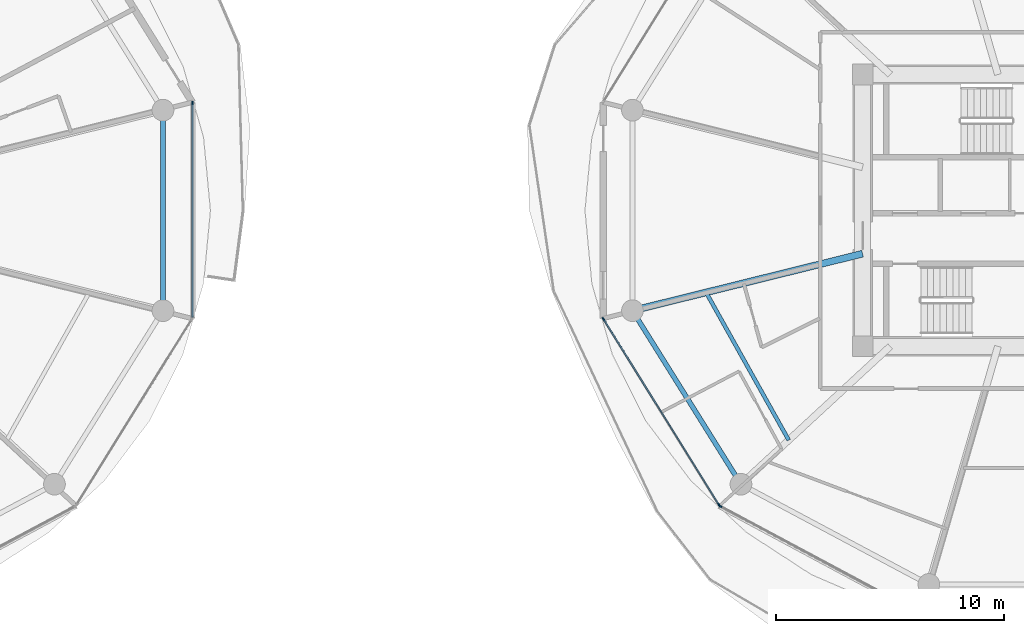
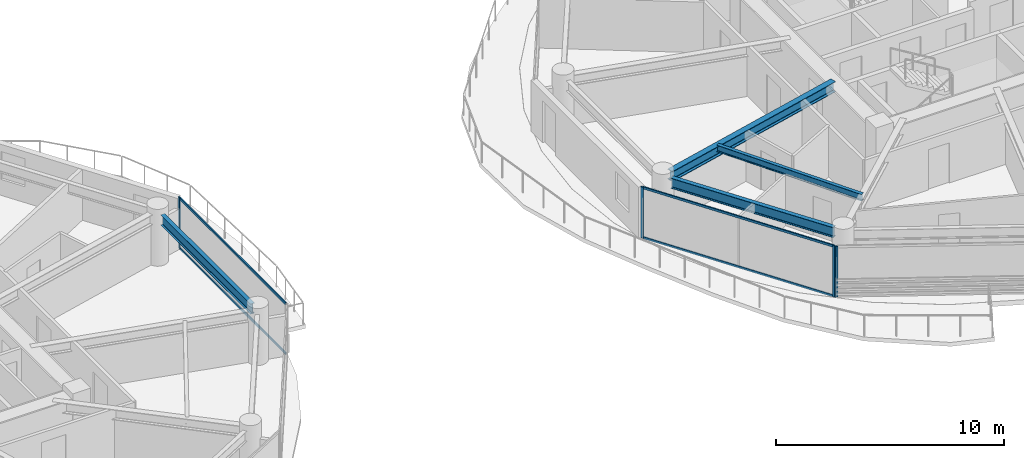
# One storey, part 6 of 26: 8 members, 4 beams, 3 elements without a shape of their own.
"""IFC4 building model written with IfcOpenShell, lengths in metres."""

import ifcopenshell
import ifcopenshell.guid

model = None  # the IFC model being written
_history = None  # IfcOwnerHistory: only IFC2X3 demands one
_inside = {}  # id of a spatial element -> (the spatial element, [elements in it])
_under = {}  # id of a project, library or spatial element -> (it, [spatial elements below it])
_declared = {}  # id of a project -> (the project, [libraries it declares])
_typed = {}  # id of a type object -> (the type object, [elements of that type])
_made_of = {}  # id of a material, layer set ... -> (it, [elements and type objects made of it])


def new_model(schema):
    """Start an empty IFC model of exactly this schema.

    Asked for "IFC4X3", IfcOpenShell would pick the latest addendum, in which some entities
    have other attributes; the version numbers below select the first issue.
    IFC2X3 requires an IfcOwnerHistory on every rooted entity: one is made here for all.
    """
    global model, _history
    if schema == "IFC4X3":
        model = ifcopenshell.file(schema_version=(4, 3, 0, 0))
    else:
        model = ifcopenshell.file(schema=schema)
    _inside.clear()
    _under.clear()
    _declared.clear()
    _typed.clear()
    _made_of.clear()
    _history = None
    if model.schema == "IFC2X3":
        org = make("IfcOrganization", Name="unknown")
        user = make(
            "IfcPersonAndOrganization",
            ThePerson=make("IfcPerson", FamilyName="unknown"),
            TheOrganization=org,
        )
        app = make(
            "IfcApplication",
            ApplicationDeveloper=org,
            Version="unknown",
            ApplicationFullName="unknown",
            ApplicationIdentifier="unknown",
        )
        _history = make(
            "IfcOwnerHistory",
            OwningUser=user,
            OwningApplication=app,
            ChangeAction="ADDED",
            CreationDate=0,
        )
    return model


def make(cls, **values):
    """One entity of the class cls with the attributes given. An attribute that is None is left unset."""
    return model.create_entity(
        cls, **{name: value for name, value in values.items() if value is not None}
    )


def rooted(cls, **values):
    """An entity with a GlobalId (a new one), such as an element, a storey or a relation."""
    return make(cls, GlobalId=ifcopenshell.guid.new(), OwnerHistory=_history, **values)


def si_unit(unit_type, name, prefix=None):
    """IfcSIUnit, for example si_unit("LENGTHUNIT", "METRE", prefix="MILLI")."""
    return make("IfcSIUnit", UnitType=unit_type, Prefix=prefix, Name=name)


def assignment(units):
    """IfcUnitAssignment: the units of a project."""
    return None if units is None else make("IfcUnitAssignment", Units=units)


def point(xyz):
    """IfcCartesianPoint."""
    return None if xyz is None else make("IfcCartesianPoint", Coordinates=xyz)


def direction(xyz):
    """IfcDirection."""
    return None if xyz is None else make("IfcDirection", DirectionRatios=xyz)


def frame(location, z_axis=None, x_axis=None):
    """IfcAxis2Placement3D, a coordinate frame: its origin and axes. An axis left out is left unset."""
    return make(
        "IfcAxis2Placement3D",
        Location=point(location),
        Axis=direction(z_axis),
        RefDirection=direction(x_axis),
    )


def frame_2d(location, x_axis=None):
    """IfcAxis2Placement2D, a coordinate frame in the plane: its origin and x axis."""
    return make(
        "IfcAxis2Placement2D", Location=point(location), RefDirection=direction(x_axis)
    )


def origin():
    """The frame at (0, 0, 0) with its axes left unset."""
    return frame((0.0, 0.0, 0.0))


def origin_2d():
    """The frame at (0, 0) in the plane with its x axis left unset."""
    return frame_2d((0.0, 0.0))


def place(relative_to, where):
    """IfcLocalPlacement: puts the frame where relative to a parent placement (None: the world)."""
    return make(
        "IfcLocalPlacement", PlacementRelTo=relative_to, RelativePlacement=where
    )


def context(
    kind, dimensions, precision=None, world=None, true_north=None, identifier=None
):
    """IfcGeometricRepresentationContext, for example the 3D "Model" context."""
    return make(
        "IfcGeometricRepresentationContext",
        ContextIdentifier=identifier,
        ContextType=kind,
        CoordinateSpaceDimension=dimensions,
        Precision=precision,
        WorldCoordinateSystem=world,
        TrueNorth=true_north,
    )


def subcontext(parent, identifier, kind, view, scale=None):
    """IfcGeometricRepresentationSubContext, for example "Body" below "Model"."""
    return make(
        "IfcGeometricRepresentationSubContext",
        ContextIdentifier=identifier,
        ContextType=kind,
        ParentContext=parent,
        TargetScale=scale,
        TargetView=view,
    )


def project(units=None, contexts=None):
    """IfcProject with its units and contexts."""
    return rooted(
        "IfcProject",
        Name="project",
        RepresentationContexts=contexts,
        UnitsInContext=assignment(units),
    )


def spatial(cls, under=None, at=None, **own):
    """A site, building, storey or space (cls), placed at a placement, below another one or the project."""
    s = rooted(cls, ObjectPlacement=at, **own)
    if under is not None:
        _under.setdefault(under.id(), (under, []))[1].append(s)
    return s


def profile(cls, at=None, kind="AREA", **sizes):
    """A parametric profile (cls). Its sizes go by their IFC names, for example OverallWidth=200.0."""
    return make(cls, ProfileType=kind, Position=at, **sizes)


def rectangle(**sizes):
    """IfcRectangleProfileDef."""
    return profile("IfcRectangleProfileDef", **sizes)


def i_section(**sizes):
    """IfcIShapeProfileDef."""
    return profile("IfcIShapeProfileDef", **sizes)


def extrude(swept, where, along, depth):
    """IfcExtrudedAreaSolid: the profile swept, set in the frame where, extruded along a direction by depth."""
    return make(
        "IfcExtrudedAreaSolid",
        SweptArea=swept,
        Position=where,
        ExtrudedDirection=direction(along),
        Depth=depth,
    )


def shape(context_of_items, identifier, shape_type, items):
    """IfcShapeRepresentation: the items that make up one representation, for example the "Body"."""
    return make(
        "IfcShapeRepresentation",
        ContextOfItems=context_of_items,
        RepresentationIdentifier=identifier,
        RepresentationType=shape_type,
        Items=items,
    )


def source(mapping_origin, context_of_items, identifier, shape_type, items):
    """IfcRepresentationMap: a shape defined once, which mapped items show again and again."""
    return make(
        "IfcRepresentationMap",
        MappingOrigin=mapping_origin,
        MappedRepresentation=shape(context_of_items, identifier, shape_type, items),
    )


def transform(
    local_origin,
    x_axis=None,
    y_axis=None,
    z_axis=None,
    scale=None,
    scale2=None,
    scale3=None,
    uniform=True,
):
    """IfcCartesianTransformationOperator3D, or its non-uniform kind. x_axis, y_axis, z_axis: its Axis1, 2, 3."""
    if uniform:
        return make(
            "IfcCartesianTransformationOperator3D",
            Axis1=direction(x_axis),
            Axis2=direction(y_axis),
            LocalOrigin=point(local_origin),
            Scale=scale,
            Axis3=direction(z_axis),
        )
    return make(
        "IfcCartesianTransformationOperator3DnonUniform",
        Axis1=direction(x_axis),
        Axis2=direction(y_axis),
        LocalOrigin=point(local_origin),
        Scale=scale,
        Axis3=direction(z_axis),
        Scale2=scale2,
        Scale3=scale3,
    )


def mapped(mapping_source, mapping_target):
    """IfcMappedItem: shows the shape of a source again, moved by a transform."""
    return make(
        "IfcMappedItem", MappingSource=mapping_source, MappingTarget=mapping_target
    )


def material(Name=None, Category=None):
    """IfcMaterial."""
    return make("IfcMaterial", Name=Name, Category=Category)


def layer(
    of_material, thickness, ventilated=None, Name=None, Category=None, Priority=None
):
    """IfcMaterialLayer: one layer of a wall or slab, of a material (None: an air gap)."""
    return make(
        "IfcMaterialLayer",
        Material=of_material,
        LayerThickness=thickness,
        IsVentilated=ventilated,
        Name=Name,
        Category=Category,
        Priority=Priority,
    )


def layer_set(layers, Name=None):
    """IfcMaterialLayerSet."""
    return make("IfcMaterialLayerSet", MaterialLayers=layers, LayerSetName=Name)


def material_profile(
    of_material, cross_section, Name=None, Category=None, Priority=None
):
    """IfcMaterialProfile: a cross section and its material."""
    return make(
        "IfcMaterialProfile",
        Name=Name,
        Material=of_material,
        Profile=cross_section,
        Priority=Priority,
        Category=Category,
    )


def profile_set(profiles, Name=None, composite=None):
    """IfcMaterialProfileSet."""
    return make(
        "IfcMaterialProfileSet",
        Name=Name,
        MaterialProfiles=profiles,
        CompositeProfile=composite,
    )


def made_of(thing, what):
    """Note that an element or type object is made of a material, layer set ...; save() writes the relation."""
    if what is not None:
        _made_of.setdefault(what.id(), (what, []))[1].append(thing)
    return thing


def type_object(cls, material=None, **own):
    """A type object (cls), such as IfcWallType, which elements share."""
    return made_of(rooted(cls, **own), material)


def type_shapes(of_type, sources):
    """Give a type object the sources (RepresentationMaps) that its elements show as mapped items."""
    of_type.RepresentationMaps = sources


def element(
    cls,
    number,
    at=None,
    inside=None,
    cuts=None,
    type_object=None,
    material=None,
    context=None,
    identifier="Body",
    shape_type=None,
    held_by="IfcProductDefinitionShape",
    body=None,
    shapes=None,
    **own,
):
    """One element of the class cls, such as IfcWall. Its Tag is "e" and its number.

    at: its placement. inside: the storey or other place that contains it. cuts: it is an
    opening in that element (IfcRelVoidsElement). A single representation is given by context,
    identifier, shape_type and body (its items); several are given by shapes. held_by: the class
    of the entity that holds the representations. save() writes the other relations.
    """
    e = rooted(cls, Tag="e%d" % number, ObjectPlacement=at, **own)
    if body is not None:
        shapes = [shape(context, identifier, shape_type, body)]
    if shapes is not None:
        e.Representation = make(held_by, Representations=shapes)
    if inside is not None:
        _inside.setdefault(inside.id(), (inside, []))[1].append(e)
    if cuts is not None:
        rooted(
            "IfcRelVoidsElement", RelatingBuildingElement=cuts, RelatedOpeningElement=e
        )
    if type_object is not None:
        _typed.setdefault(type_object.id(), (type_object, []))[1].append(e)
    return made_of(e, material)


def aggregate(whole, parts):
    """IfcRelAggregates: a whole, such as a stair, and the parts it consists of."""
    return rooted("IfcRelAggregates", RelatingObject=whole, RelatedObjects=parts)


def save(model, path):
    """Write the relations noted so far, then the file.

    IfcRelAggregates (storeys below a building ...), IfcRelContainedInSpatialStructure (elements
    in a storey), IfcRelDefinesByType, IfcRelAssociatesMaterial and IfcRelDeclares: one each for
    every whole, place, type object, material and project.
    """
    for whole, parts in _under.values():
        aggregate(whole, parts)
    for where, things in _inside.values():
        rooted(
            "IfcRelContainedInSpatialStructure",
            RelatedElements=things,
            RelatingStructure=where,
        )
    for kind, things in _typed.values():
        rooted("IfcRelDefinesByType", RelatedObjects=things, RelatingType=kind)
    for what, things in _made_of.values():
        rooted("IfcRelAssociatesMaterial", RelatedObjects=things, RelatingMaterial=what)
    for by, libraries in _declared.values():
        rooted("IfcRelDeclares", RelatingContext=by, RelatedDefinitions=libraries)
    model.write(path)


model = new_model("IFC4")

# Units and contexts
model_context = context("Model", 3, precision=1e-05, world=origin(), true_north=direction((0.0, 1.0)))
body_context = subcontext(model_context, "Body", "Model", "MODEL_VIEW")
ifc_project = project(units=[si_unit("LENGTHUNIT", "METRE"), si_unit("AREAUNIT", "SQUARE_METRE"), si_unit("VOLUMEUNIT", "CUBIC_METRE"), si_unit("PLANEANGLEUNIT", "RADIAN"), si_unit("MASSUNIT", "GRAM", prefix="KILO")], contexts=[model_context])

# Site, building, storey
site_placement = place(None, origin())
site = spatial("IfcSite", under=ifc_project, at=site_placement, CompositionType="ELEMENT")
building_placement = place(site_placement, origin())
building = spatial("IfcBuilding", under=site, at=building_placement, Name="Norrkilde Senior Care Towers", CompositionType="ELEMENT")
storey_placement = place(building_placement, frame((0.0, 0.0, 70.39990234375)))
storey = spatial("IfcBuildingStorey", under=building, at=storey_placement, Name="L21", CompositionType="ELEMENT", Elevation=70.39990234375)

# Beams
ifc_material_1 = material(Name="Steel S355", Category="steel")
ifc_material_profile_1 = material_profile(ifc_material_1, i_section(OverallWidth=0.2099609375, OverallDepth=0.550048828125, WebThickness=0.010986328125, FlangeThickness=0.01708984375, FilletRadius=0.02392578125, at=origin_2d()), Name="IPE 550")
ifc_profile_set_1 = profile_set([ifc_material_profile_1], Name="Steel S355")
beam_type_1 = type_object("IfcBeamType", Name="Perimeter Ring Spandrel Z1 IPE550", PredefinedType="SPANDREL", material=ifc_profile_set_1)
shared_shape_1 = source(origin(), body_context, "Body", "SweptSolid", [
    extrude(i_section(OverallWidth=0.2099609375, OverallDepth=0.550048828125, WebThickness=0.010986328125, FlangeThickness=0.01708984375, FilletRadius=0.02392578125, at=origin_2d()), origin(), (0.0, 0.0, 1.0), 8.090576171875),
])
beam_1_placement = place(storey_placement, frame((10.505859375, -4.755859375, 2.455078125), z_axis=(0.530004364821, -0.84799491347, 0.0), x_axis=(0.84799491347, 0.530004364821, 0.0)))
element("IfcBeam", 1, at=beam_1_placement, inside=storey, type_object=beam_type_1, Name="L21 Drum E Perimeter Spandrel 07", PredefinedType="SPANDREL", context=body_context, shape_type="MappedRepresentation", body=[
    mapped(shared_shape_1, transform((0.0, 0.0, 0.0), x_axis=(1.0, 0.0, 0.0), y_axis=(0.0, 1.0, 0.0), z_axis=(0.0, 0.0, 1.0), scale=1.0)),
])
ifc_material_profile_2 = material_profile(ifc_material_1, i_section(OverallWidth=0.300048828125, OverallDepth=0.550048828125, WebThickness=0.014892578125, FlangeThickness=0.029052734375, FilletRadius=0.027099609375, at=origin_2d()), Name="HEB 550")
ifc_profile_set_2 = profile_set([ifc_material_profile_2], Name="Steel S355")
beam_type_2 = type_object("IfcBeamType", Name="Radial Floor Beam Z1 HEB550", PredefinedType="BEAM", material=ifc_profile_set_2)
shared_shape_2 = source(origin(), body_context, "Body", "SweptSolid", [
    extrude(i_section(OverallWidth=0.300048828125, OverallDepth=0.550048828125, WebThickness=0.014892578125, FlangeThickness=0.029052734375, FilletRadius=0.027099609375, at=origin_2d()), origin(), (0.0, 0.0, 1.0), 9.94384765625),
])
type_shapes(beam_type_2, [shared_shape_2])
beam_2_placement = place(storey_placement, frame((20.35009765625, -1.893310546875, 2.455078125), z_axis=(-0.970707425182, -0.240264634718, 0.0), x_axis=(0.240264634718, -0.970707425182, 0.0)))
element("IfcBeam", 2, at=beam_2_placement, inside=storey, type_object=beam_type_2, Name="L21 Drum E Radial Floor Beam 07", PredefinedType="BEAM", context=body_context, shape_type="MappedRepresentation", body=[
    mapped(shared_shape_2, transform((0.0, 0.0, 0.0), x_axis=(1.0, 0.0, 0.0), y_axis=(0.0, 1.0, 0.0), z_axis=(0.0, 0.0, 1.0), scale=1.0)),
])
shared_shape_3 = source(origin(), body_context, "Body", "SweptSolid", [
    extrude(i_section(OverallWidth=0.2099609375, OverallDepth=0.550048828125, WebThickness=0.010986328125, FlangeThickness=0.01708984375, FilletRadius=0.02392578125, at=origin_2d()), origin(), (0.0, 0.0, 1.0), 7.90380859375),
])
type_shapes(beam_type_1, [shared_shape_1, shared_shape_3])
beam_3_placement = place(storey_placement, frame((-10.275146484375, -3.951904296875, 2.455078125), z_axis=(0.0, 1.0, 0.0), x_axis=(-1.0, 0.0, 0.0)))
element("IfcBeam", 3, at=beam_3_placement, inside=storey, type_object=beam_type_1, Name="L21 Drum W Perimeter Spandrel 12", PredefinedType="SPANDREL", context=body_context, shape_type="MappedRepresentation", body=[
    mapped(shared_shape_3, transform((0.0, 0.0, 0.0), x_axis=(1.0, 0.0, 0.0), y_axis=(0.0, 1.0, 0.0), z_axis=(0.0, 0.0, 1.0), scale=1.0)),
])
ifc_material_profile_3 = material_profile(ifc_material_1, i_section(OverallWidth=0.169921875, OverallDepth=0.360107421875, WebThickness=0.008056640625, FlangeThickness=0.0126953125, FilletRadius=0.01806640625, at=origin_2d()), Name="IPE 360")
ifc_profile_set_3 = profile_set([ifc_material_profile_3], Name="Steel S355")
beam_type_3 = type_object("IfcBeamType", Name="Secondary Floor Joist IPE360", PredefinedType="JOIST", material=ifc_profile_set_3)
shared_shape_4 = source(origin(), body_context, "Body", "SweptSolid", [
    extrude(i_section(OverallWidth=0.169921875, OverallDepth=0.360107421875, WebThickness=0.008056640625, FlangeThickness=0.0126953125, FilletRadius=0.01806640625, at=origin_2d()), origin(), (0.0, 0.0, 1.0), 7.40771484375),
])
type_shapes(beam_type_3, [shared_shape_4])
beam_4_placement = place(storey_placement, frame((13.499267578125, -3.589111328125, 2.550048828125), z_axis=(0.488167754092, -0.872749817453, 0.0), x_axis=(0.872749817453, 0.488167754092, 0.0)))
element("IfcBeam", 4, at=beam_4_placement, inside=storey, type_object=beam_type_3, Name="L21 Drum E Secondary Floor Joist 3", PredefinedType="JOIST", context=body_context, shape_type="MappedRepresentation", body=[
    mapped(shared_shape_4, transform((0.0, 0.0, 0.0), x_axis=(1.0, 0.0, 0.0), y_axis=(0.0, 1.0, 0.0), z_axis=(0.0, 0.0, 1.0), scale=1.0)),
])

# Curtain wall, members
ifc_material_2 = material(Name="Triple Low-E Insulated Glazing", Category="glass")
ifc_layer = layer(ifc_material_2, 0.199951171875)
ifc_layer_set = layer_set([ifc_layer], Name="Triple Low-E Insulated Glazing")
curtain_wall_type = type_object("IfcCurtainWallType", Name="CW2 Zone 1 Memory Care Curtain Wall", PredefinedType="NOTDEFINED", material=ifc_layer_set)
curtain_wall_1_placement = place(storey_placement, origin())
curtain_wall_1 = element("IfcCurtainWall", 5, at=curtain_wall_1_placement, inside=storey, type_object=curtain_wall_type, Name="L21 Drum E Curtain Wall 06", PredefinedType="NOTDEFINED")
ifc_material_3 = material(Name="Anodised Aluminium", Category="aluminium")
ifc_material_profile_4 = material_profile(ifc_material_3, rectangle(XDim=0.06005859375, YDim=0.1201171875, at=origin_2d()), Name="ALU TRAN 60x120")
ifc_profile_set_4 = profile_set([ifc_material_profile_4], Name="Anodised Aluminium")
member_type_1 = type_object("IfcMemberType", Name="Curtain Wall Transom Typical 60x120", PredefinedType="USERDEFINED", material=ifc_profile_set_4)
shared_shape_5 = source(origin(), body_context, "Body", "SweptSolid", [
    extrude(rectangle(XDim=0.06005859375, YDim=0.1201171875, at=origin_2d()), origin(), (0.0, 0.0, 1.0), 9.5185546875),
])
member_1_placement = place(storey_placement, frame((14.0498046875, -12.87060546875, 0.030029296875), z_axis=(-0.527901620669, 0.849305527413, 0.0), x_axis=(-0.849305527413, -0.527901620669, 0.0)))
member_1 = element("IfcMember", 6, at=member_1_placement, type_object=member_type_1, Name="CW-2 transom 1.1", ObjectType="TRANSOM", PredefinedType="USERDEFINED", context=body_context, shape_type="MappedRepresentation", body=[
    mapped(shared_shape_5, transform((0.0, 0.0, 0.0), x_axis=(1.0, 0.0, 0.0), y_axis=(0.0, 1.0, 0.0), z_axis=(0.0, 0.0, 1.0), scale=1.0)),
])
member_2_placement = place(storey_placement, frame((14.0498046875, -12.87060546875, 2.7001953125), z_axis=(-0.527901620669, 0.849305527413, 0.0), x_axis=(-0.849305527413, -0.527901620669, 0.0)))
member_2 = element("IfcMember", 7, at=member_2_placement, type_object=member_type_1, Name="CW-2 transom 1.2", ObjectType="TRANSOM", PredefinedType="USERDEFINED", context=body_context, shape_type="MappedRepresentation", body=[
    mapped(shared_shape_5, transform((0.0, 0.0, 0.0), x_axis=(1.0, 0.0, 0.0), y_axis=(0.0, 1.0, 0.0), z_axis=(0.0, 0.0, 1.0), scale=1.0)),
])

curtain_wall_2_placement = place(storey_placement, origin())
curtain_wall_2 = element("IfcCurtainWall", 8, at=curtain_wall_2_placement, inside=storey, type_object=curtain_wall_type, Name="L21 Drum W Curtain Wall 11", PredefinedType="NOTDEFINED")
shared_shape_6 = source(origin(), body_context, "Body", "SweptSolid", [
    extrude(rectangle(XDim=0.06005859375, YDim=0.1201171875, at=origin_2d()), origin(), (0.0, 0.0, 1.0), 9.33251953125),
])
type_shapes(member_type_1, [shared_shape_5, shared_shape_6])
member_3_placement = place(storey_placement, frame((-8.990478515625, 4.666259765625, 0.030029296875), z_axis=(0.0, -1.0, 0.0), x_axis=(1.0, 0.0, 0.0)))
member_3 = element("IfcMember", 9, at=member_3_placement, type_object=member_type_1, Name="CW-2 transom 1.1", ObjectType="TRANSOM", PredefinedType="USERDEFINED", context=body_context, shape_type="MappedRepresentation", body=[
    mapped(shared_shape_6, transform((0.0, 0.0, 0.0), x_axis=(1.0, 0.0, 0.0), y_axis=(0.0, 1.0, 0.0), z_axis=(0.0, 0.0, 1.0), scale=1.0)),
])
member_4_placement = place(storey_placement, frame((-8.990478515625, 4.666259765625, 2.7001953125), z_axis=(0.0, -1.0, 0.0), x_axis=(1.0, 0.0, 0.0)))
member_4 = element("IfcMember", 10, at=member_4_placement, type_object=member_type_1, Name="CW-2 transom 1.2", ObjectType="TRANSOM", PredefinedType="USERDEFINED", context=body_context, shape_type="MappedRepresentation", body=[
    mapped(shared_shape_6, transform((0.0, 0.0, 0.0), x_axis=(1.0, 0.0, 0.0), y_axis=(0.0, 1.0, 0.0), z_axis=(0.0, 0.0, 1.0), scale=1.0)),
])
ifc_material_profile_5 = material_profile(ifc_material_3, rectangle(XDim=0.06494140625, YDim=0.159912109375, at=origin_2d()), Name="ALU MULL 65x160")
ifc_profile_set_5 = profile_set([ifc_material_profile_5], Name="Anodised Aluminium")
member_type_2 = type_object("IfcMemberType", Name="Curtain Wall Mullion Z1-Z2 65x160", PredefinedType="MULLION", material=ifc_profile_set_5)
shared_shape_7 = source(origin(), body_context, "Body", "SweptSolid", [
    extrude(rectangle(XDim=0.06494140625, YDim=0.159912109375, at=origin_2d()), origin(), (0.0, 0.0, 1.0), 2.72998046875),
])
type_shapes(member_type_2, [shared_shape_7])
member_5_placement = place(storey_placement, frame((-8.990478515625, 4.69873046875, 0.0), z_axis=(0.0, 0.0, 1.0), x_axis=(1.0, 0.0, 0.0)))
member_5 = element("IfcMember", 11, at=member_5_placement, type_object=member_type_2, Name="CW-2 mullion 1", PredefinedType="MULLION", context=body_context, shape_type="MappedRepresentation", body=[
    mapped(shared_shape_7, transform((0.0, 0.0, 0.0), x_axis=(1.0, 0.0, 0.0), y_axis=(0.0, 1.0, 0.0), z_axis=(0.0, 0.0, 1.0), scale=1.0)),
])
aggregate(curtain_wall_2, [member_5, member_3, member_4])

# Member
member_6_placement = place(storey_placement, frame((14.06689453125, -12.898193359375, 0.0), z_axis=(0.0, 0.0, 1.0), x_axis=(-0.849305943117, -0.527900951871, 0.0)))
member_6 = element("IfcMember", 12, at=member_6_placement, type_object=member_type_2, Name="CW-2 mullion 1", PredefinedType="MULLION", context=body_context, shape_type="MappedRepresentation", body=[
    mapped(shared_shape_7, transform((0.0, 0.0, 0.0), x_axis=(1.0, 0.0, 0.0), y_axis=(0.0, 1.0, 0.0), z_axis=(0.0, 0.0, 1.0), scale=1.0)),
])

member_7_placement = place(storey_placement, frame((9.0078125, -4.7587890625, 0.0), z_axis=(0.0, 0.0, 1.0), x_axis=(-0.849305943117, -0.527900951871, 0.0)))
member_7 = element("IfcMember", 13, at=member_7_placement, type_object=member_type_2, Name="CW-2 mullion 2", PredefinedType="MULLION", context=body_context, shape_type="MappedRepresentation", body=[
    mapped(shared_shape_7, transform((0.0, 0.0, 0.0), x_axis=(1.0, 0.0, 0.0), y_axis=(0.0, 1.0, 0.0), z_axis=(0.0, 0.0, 1.0), scale=1.0)),
])

aggregate(curtain_wall_1, [member_6, member_7, member_1, member_2])

# Curtain wall, member
curtain_wall_3_placement = place(storey_placement, origin())
curtain_wall_3 = element("IfcCurtainWall", 14, at=curtain_wall_3_placement, inside=storey, type_object=curtain_wall_type, Name="L21 Drum E Curtain Wall 07", PredefinedType="NOTDEFINED")
member_8_placement = place(storey_placement, frame((14.11279296875, -12.941162109375, 0.0), z_axis=(0.0, 0.0, 1.0), x_axis=(-0.472607802456, -0.881272866403, 0.0)))
member_8 = element("IfcMember", 15, at=member_8_placement, type_object=member_type_2, Name="CW-2 mullion 2", PredefinedType="MULLION", context=body_context, shape_type="MappedRepresentation", body=[
    mapped(shared_shape_7, transform((0.0, 0.0, 0.0), x_axis=(1.0, 0.0, 0.0), y_axis=(0.0, 1.0, 0.0), z_axis=(0.0, 0.0, 1.0), scale=1.0)),
])
aggregate(curtain_wall_3, [member_8])

save(model, "model.ifc")
